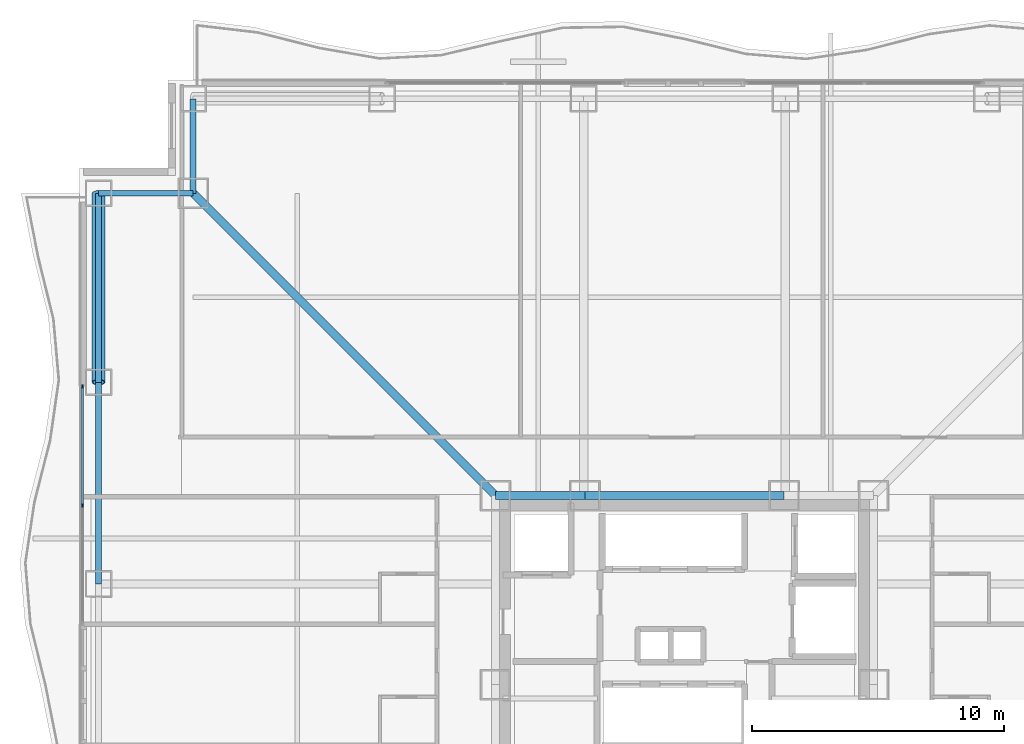
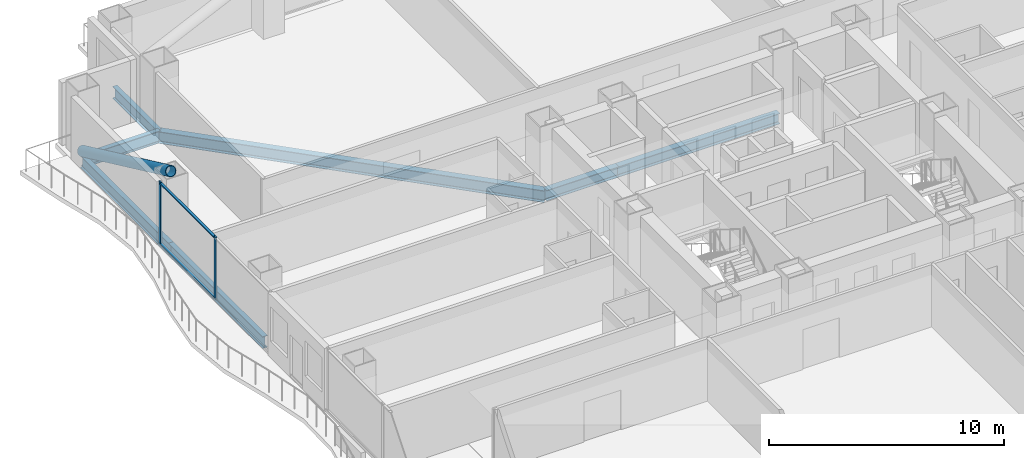
# One storey, part 9 of 24: 7 beams, 5 members, 1 element without a shape of its own.
"""IFC4 building model written with IfcOpenShell, lengths in metres."""

from ifc_helpers import new_model, si_unit, direction, frame, origin, origin_2d, place, context, subcontext, project, spatial, rectangle, hollow_circle, i_section, extrude, material, layer, layer_set, material_profile, profile_set, type_object, element, aggregate, save


model = new_model("IFC4")

# Units and contexts
model_context = context("Model", 3, precision=1e-05, world=origin(), true_north=direction((0.0, 1.0)))
body_context = subcontext(model_context, "Body", "Model", "MODEL_VIEW")
ifc_project = project(units=[si_unit("LENGTHUNIT", "METRE"), si_unit("AREAUNIT", "SQUARE_METRE"), si_unit("VOLUMEUNIT", "CUBIC_METRE"), si_unit("PLANEANGLEUNIT", "RADIAN"), si_unit("MASSUNIT", "GRAM", prefix="KILO")], contexts=[model_context])

# Site, building, storey
site_placement = place(None, origin())
site = spatial("IfcSite", under=ifc_project, at=site_placement, CompositionType="ELEMENT")
building_placement = place(site_placement, origin())
building = spatial("IfcBuilding", under=site, at=building_placement, Name="Trevonay Congress Spire", CompositionType="ELEMENT")
storey_placement = place(building_placement, frame((0.0, 0.0, 55.0)))
storey = spatial("IfcBuildingStorey", under=building, at=storey_placement, Name="L13", CompositionType="ELEMENT", Elevation=55.0)

# Beams
ifc_material_1 = material(Name="Steel ASTM A572 Grade 50", Category="steel")
ifc_material_profile_1 = material_profile(ifc_material_1, i_section(OverallWidth=0.31201171875, OverallDepth=0.54296875, WebThickness=0.0126953125, FlangeThickness=0.020263671875, FilletRadius=0.014892578125, at=origin_2d()), Name="W530x150")
ifc_profile_set_1 = profile_set([ifc_material_profile_1], Name="Steel ASTM A572 Grade 50")
beam_type_1 = type_object("IfcBeamType", Name="BM-GIRD-W530X150", PredefinedType="BEAM", material=ifc_profile_set_1)
beam_1_placement = place(storey_placement, frame((-7.5, 7.5, -0.521484375), z_axis=(1.0, 0.0, 0.0), x_axis=(0.0, 1.0, 0.0)))
element("IfcBeam", 1, at=beam_1_placement, inside=storey, type_object=beam_type_1, Name="L13 structural beam BM-L13-CR-N1", PredefinedType="BEAM", context=body_context, shape_type="SweptSolid", body=[
    extrude(i_section(OverallWidth=0.31201171875, OverallDepth=0.54296875, WebThickness=0.0126953125, FlangeThickness=0.020263671875, FilletRadius=0.014892578125, at=origin_2d()), origin(), (0.0, 0.0, 1.0), 3.550048828125),
])
beam_2_placement = place(storey_placement, frame((-3.949951171875, 7.5, -0.521484375), z_axis=(1.0, 0.0, 0.0), x_axis=(0.0, 1.0, 0.0)))
element("IfcBeam", 2, at=beam_2_placement, inside=storey, type_object=beam_type_1, Name="L13 structural beam BM-L13-CR-N2", PredefinedType="BEAM", context=body_context, shape_type="SweptSolid", body=[
    extrude(i_section(OverallWidth=0.31201171875, OverallDepth=0.54296875, WebThickness=0.0126953125, FlangeThickness=0.020263671875, FilletRadius=0.014892578125, at=origin_2d()), origin(), (0.0, 0.0, 1.0), 7.89990234375),
])
ifc_material_profile_2 = material_profile(ifc_material_1, i_section(OverallWidth=0.324951171875, OverallDepth=0.615966796875, WebThickness=0.013916015625, FlangeThickness=0.021484375, FilletRadius=0.01806640625, at=origin_2d()), Name="W610x174")
ifc_profile_set_2 = profile_set([ifc_material_profile_2], Name="Steel ASTM A572 Grade 50")
beam_type_2 = type_object("IfcBeamType", Name="BM-GIRD-W610X174", PredefinedType="BEAM", material=ifc_profile_set_2)
beam_3_placement = place(storey_placement, frame((-7.5, 7.5, -0.55810546875), z_axis=(-0.707106781187, 0.707106781187, 0.0), x_axis=(-0.707106781187, -0.707106781187, 0.0)))
element("IfcBeam", 3, at=beam_3_placement, inside=storey, type_object=beam_type_2, Name="L13 structural beam BM-L13-CDNW", PredefinedType="BEAM", context=body_context, shape_type="SweptSolid", body=[
    extrude(i_section(OverallWidth=0.324951171875, OverallDepth=0.615966796875, WebThickness=0.013916015625, FlangeThickness=0.021484375, FilletRadius=0.01806640625, at=origin_2d()), origin(), (0.0, 0.0, 1.0), 16.970458984375),
])
ifc_material_profile_3 = material_profile(ifc_material_1, i_section(OverallWidth=0.22998046875, OverallDepth=0.616943359375, WebThickness=0.01318359375, FlangeThickness=0.022216796875, FilletRadius=0.01611328125, at=origin_2d()), Name="W610x140")
ifc_profile_set_3 = profile_set([ifc_material_profile_3], Name="Steel ASTM A572 Grade 50")
beam_type_3 = type_object("IfcBeamType", Name="BM-RING-W610X140", PredefinedType="BEAM", material=ifc_profile_set_3)
beam_4_placement = place(storey_placement, frame((-23.25, 4.0, -0.55859375), z_axis=(0.0, 1.0, 0.0), x_axis=(-1.0, 0.0, 0.0)))
element("IfcBeam", 4, at=beam_4_placement, inside=storey, type_object=beam_type_3, Name="L13 structural beam BM-L13-PW4", PredefinedType="BEAM", context=body_context, shape_type="SweptSolid", body=[
    extrude(i_section(OverallWidth=0.22998046875, OverallDepth=0.616943359375, WebThickness=0.01318359375, FlangeThickness=0.022216796875, FilletRadius=0.01611328125, at=origin_2d()), origin(), (0.0, 0.0, 1.0), 8.0),
])
beam_5_placement = place(storey_placement, frame((-23.25, 12.0, -0.55859375), z_axis=(0.0, 1.0, 0.0), x_axis=(-1.0, 0.0, 0.0)))
element("IfcBeam", 5, at=beam_5_placement, inside=storey, type_object=beam_type_3, Name="L13 structural beam BM-L13-PW5", PredefinedType="BEAM", context=body_context, shape_type="SweptSolid", body=[
    extrude(i_section(OverallWidth=0.22998046875, OverallDepth=0.616943359375, WebThickness=0.01318359375, FlangeThickness=0.022216796875, FilletRadius=0.01611328125, at=origin_2d()), origin(), (0.0, 0.0, 1.0), 7.5),
])
for number, where, z_axis, x_axis, name in (
    (6, (-19.5, 23.25, -0.55859375), (0.0, -1.0, 0.0), (1.0, 0.0, 0.0), "L13 structural beam BM-L13-N1NW"),
    (7, (-23.25, 19.5, -0.55859375), (1.0, 0.0, 0.0), (0.0, 1.0, 0.0), "L13 structural beam BM-L13-N2NW"),
):
    element("IfcBeam", number, at=place(storey_placement, frame(where, z_axis=z_axis, x_axis=x_axis)), inside=storey, type_object=beam_type_3, Name=name, PredefinedType="BEAM", context=body_context, shape_type="SweptSolid", body=[
        extrude(i_section(OverallWidth=0.22998046875, OverallDepth=0.616943359375, WebThickness=0.01318359375, FlangeThickness=0.022216796875, FilletRadius=0.01611328125, at=origin_2d()), origin(), (0.0, 0.0, 1.0), 3.75),
    ])

# Curtain wall, members
ifc_material_2 = material(Name="Pale Anodised Aluminium EN AW-6063-T6", Category="aluminium")
ifc_layer = layer(ifc_material_2, 0.179931640625, Name="Pale Anodised Aluminium EN AW-6063-T6")
ifc_layer_set = layer_set([ifc_layer], Name="Pale Anodised Aluminium EN AW-6063-T6")
curtain_wall_type = type_object("IfcCurtainWallType", Name="CW-SYS02-HOTEL-PALE-METAL", PredefinedType="NOTDEFINED", material=ifc_layer_set)
curtain_wall_placement = place(storey_placement, origin())
curtain_wall = element("IfcCurtainWall", 8, at=curtain_wall_placement, inside=storey, type_object=curtain_wall_type, Name="L13 WB unitised curtain wall", PredefinedType="NOTDEFINED")
ifc_material_profile_4 = material_profile(ifc_material_2, rectangle(XDim=0.06005859375, YDim=0.159912109375, at=origin_2d()), Name="CW-MULLION-160-ALUMINIUM")
ifc_profile_set_4 = profile_set([ifc_material_profile_4], Name="Pale Anodised Aluminium EN AW-6063-T6")
member_type_1 = type_object("IfcMemberType", Name="CW-MULLION-160-ALUMINIUM", PredefinedType="MULLION", material=ifc_profile_set_4)
member_1_placement = place(storey_placement, frame((-23.8798828125, 7.125, 0.0), z_axis=(0.0, 0.0, 1.0), x_axis=(-1.0, 0.0, 0.0)))
member_1 = element("IfcMember", 9, at=member_1_placement, type_object=member_type_1, Name="CW02 mullion 2", PredefinedType="MULLION", context=body_context, shape_type="SweptSolid", body=[
    extrude(rectangle(XDim=0.06005859375, YDim=0.159912109375, at=origin_2d()), origin(), (0.0, 0.0, 1.0), 3.25),
])
member_2_placement = place(storey_placement, frame((-23.8798828125, 11.820068359375, 0.0), z_axis=(0.0, 0.0, 1.0), x_axis=(-1.0, 0.0, 0.0)))
member_2 = element("IfcMember", 10, at=member_2_placement, type_object=member_type_1, Name="CW02 mullion 3", PredefinedType="MULLION", context=body_context, shape_type="SweptSolid", body=[
    extrude(rectangle(XDim=0.06005859375, YDim=0.159912109375, at=origin_2d()), origin(), (0.0, 0.0, 1.0), 3.25),
])
ifc_material_profile_5 = material_profile(ifc_material_2, rectangle(XDim=0.1201171875, YDim=0.06005859375, at=origin_2d()), Name="CW-TRANSOM-120-ALUMINIUM")
ifc_profile_set_5 = profile_set([ifc_material_profile_5], Name="Pale Anodised Aluminium EN AW-6063-T6")
member_type_2 = type_object("IfcMemberType", Name="CW-TRANSOM-120-ALUMINIUM", PredefinedType="USERDEFINED", material=ifc_profile_set_5)
member_3_placement = place(storey_placement, frame((-23.8798828125, 7.155029296875, 0.06005859375), z_axis=(0.0, 1.0, 0.0), x_axis=(-1.0, 0.0, 0.0)))
member_3 = element("IfcMember", 11, at=member_3_placement, type_object=member_type_2, Name="CW02 transom 2.1", ObjectType="TRANSOM", PredefinedType="USERDEFINED", context=body_context, shape_type="SweptSolid", body=[
    extrude(rectangle(XDim=0.1201171875, YDim=0.06005859375, at=origin_2d()), origin(), (0.0, 0.0, 1.0), 4.635009765625),
])
member_4_placement = place(storey_placement, frame((-23.8798828125, 7.155029296875, 3.18994140625), z_axis=(0.0, 1.0, 0.0), x_axis=(-1.0, 0.0, 0.0)))
member_4 = element("IfcMember", 12, at=member_4_placement, type_object=member_type_2, Name="CW02 transom 2.2", ObjectType="TRANSOM", PredefinedType="USERDEFINED", context=body_context, shape_type="SweptSolid", body=[
    extrude(rectangle(XDim=0.1201171875, YDim=0.06005859375, at=origin_2d()), origin(), (0.0, 0.0, 1.0), 4.635009765625),
])
aggregate(curtain_wall, [member_1, member_2, member_3, member_4])

# Member
ifc_material_profile_6 = material_profile(ifc_material_1, hollow_circle(Radius=0.25390625, WallThickness=0.02490234375, at=origin_2d()), Name="CHS 508x25")
ifc_profile_set_6 = profile_set([ifc_material_profile_6], Name="Steel ASTM A572 Grade 50")
member_type_3 = type_object("IfcMemberType", Name="MBR-TUBE-CHS508", PredefinedType="BRACE", material=ifc_profile_set_6)
member_5_placement = place(storey_placement, frame((-23.25, 19.5, -0.050048828125), z_axis=(0.0, -0.906183139995, 0.422885465331), x_axis=(1.0, 0.0, 0.0)))
element("IfcMember", 13, at=member_5_placement, inside=storey, type_object=member_type_3, Name="L13 perimeter braced-tube diagonal W4", PredefinedType="BRACE", context=body_context, shape_type="SweptSolid", body=[
    extrude(hollow_circle(Radius=0.25390625, WallThickness=0.02490234375, at=origin_2d()), origin(), (0.0, 0.0, 1.0), 8.2763671875),
])

save(model, "model.ifc")
